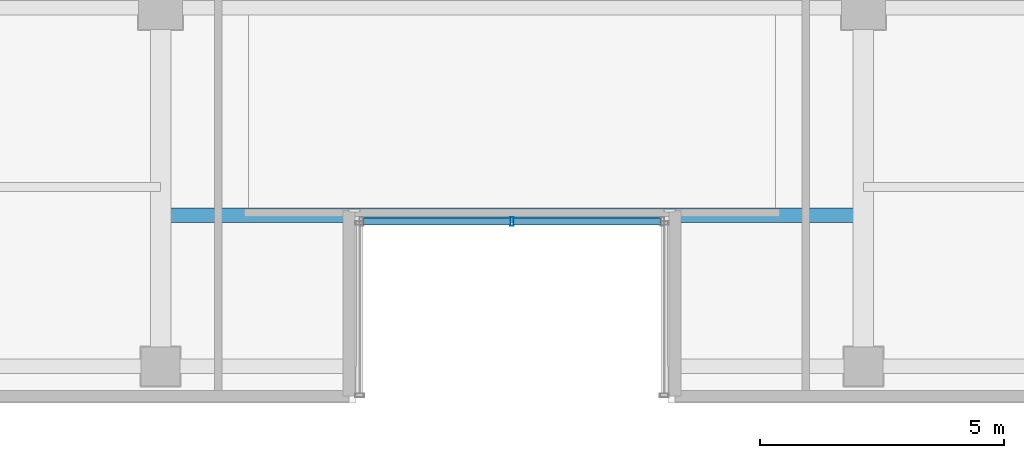
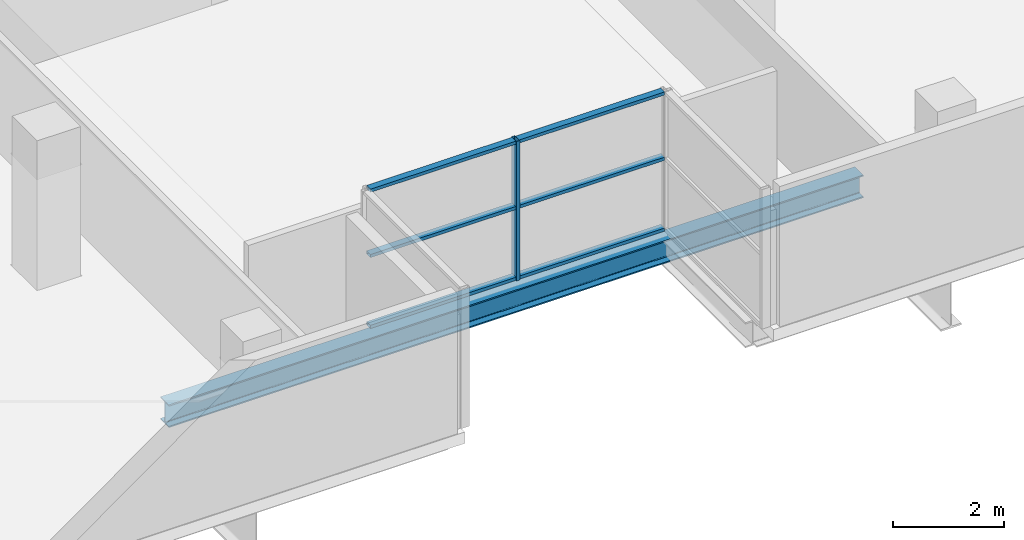
# One storey, part 6 of 27: 7 members, 1 beam, 1 element without a shape of its own.
"""IFC4 building model written with IfcOpenShell, lengths in metres."""

from ifc_helpers import new_model, si_unit, direction, frame, origin, origin_2d, place, context, subcontext, project, spatial, hollow_rectangle, i_section, extrude, source, transform, mapped, material, layer, layer_set, material_profile, profile_set, type_object, element, aggregate, save


model = new_model("IFC4")

# Units and contexts
model_context = context("Model", 3, precision=1e-05, world=origin(), true_north=direction((0.0, 1.0)))
body_context = subcontext(model_context, "Body", "Model", "MODEL_VIEW")
ifc_project = project(units=[si_unit("LENGTHUNIT", "METRE"), si_unit("AREAUNIT", "SQUARE_METRE"), si_unit("VOLUMEUNIT", "CUBIC_METRE"), si_unit("PLANEANGLEUNIT", "RADIAN"), si_unit("MASSUNIT", "GRAM", prefix="KILO")], contexts=[model_context])

# Site, building, storey
site_placement = place(None, origin())
site = spatial("IfcSite", under=ifc_project, at=site_placement, CompositionType="ELEMENT")
building_placement = place(site_placement, origin())
building = spatial("IfcBuilding", under=site, at=building_placement, Name="Zarnakvel Exchange Tower", CompositionType="ELEMENT")
storey_placement = place(building_placement, frame((0.0, 0.0, 86.800048828125)))
storey = spatial("IfcBuildingStorey", under=building, at=storey_placement, Name="L23", CompositionType="ELEMENT", Elevation=86.800048828125)

# Beam
ifc_material_1 = material(Name="Steel S355", Category="steel")
ifc_material_profile_1 = material_profile(ifc_material_1, i_section(OverallWidth=0.300048828125, OverallDepth=0.5, WebThickness=0.014404296875, FlangeThickness=0.028076171875, FilletRadius=0.027099609375, at=origin_2d()))
ifc_profile_set_1 = profile_set([ifc_material_profile_1], Name="Steel S355")
beam_type = type_object("IfcBeamType", Name="SP-02", PredefinedType="SPANDREL", material=ifc_profile_set_1)
beam_placement = place(storey_placement, frame((-7.199951171875, -13.85009765625, -0.5), z_axis=(1.0, 0.0, 0.0), x_axis=(0.0, 1.0, 0.0)))
element("IfcBeam", 1, at=beam_placement, inside=storey, type_object=beam_type, Name="L23 South Slot Head Trimmer Girder", PredefinedType="SPANDREL", context=body_context, shape_type="SweptSolid", body=[
    extrude(i_section(OverallWidth=0.300048828125, OverallDepth=0.5, WebThickness=0.014404296875, FlangeThickness=0.028076171875, FilletRadius=0.027099609375, at=origin_2d()), origin(), (0.0, 0.0, 1.0), 14.39990234375),
])

# Curtain wall, members
ifc_material_2 = material(Name="Architectural Bronze Anodised Aluminium", Category="aluminium")
ifc_layer = layer(ifc_material_2, 0.179931640625)
ifc_layer_set = layer_set([ifc_layer], Name="Architectural Bronze Anodised Aluminium")
curtain_wall_type = type_object("IfcCurtainWallType", Name="CW-05", PredefinedType="NOTDEFINED", material=ifc_layer_set)
curtain_wall_placement = place(storey_placement, origin())
curtain_wall = element("IfcCurtainWall", 2, at=curtain_wall_placement, inside=storey, type_object=curtain_wall_type, Name="L23 Curtain Wall CW-L23-SLB (CW-05)", PredefinedType="NOTDEFINED")
ifc_material_profile_2 = material_profile(ifc_material_2, hollow_rectangle(XDim=0.139892578125, YDim=0.070068359375, WallThickness=0.00390625, at=origin_2d()))
ifc_profile_set_2 = profile_set([ifc_material_profile_2], Name="Architectural Bronze Anodised Aluminium")
member_type_1 = type_object("IfcMemberType", Name="CWT-05", PredefinedType="USERDEFINED", material=ifc_profile_set_2)
shared_shape_1 = source(origin(), body_context, "Body", "SweptSolid", [
    extrude(hollow_rectangle(XDim=0.139892578125, YDim=0.070068359375, WallThickness=0.00390625, at=origin_2d()), origin(), (0.0, 0.0, 1.0), 3.01513671875),
])
member_1_placement = place(storey_placement, frame((-3.050048828125, -13.97998046875, 0.034912109375), z_axis=(1.0, 0.0, 0.0), x_axis=(0.0, 1.0, 0.0)))
member_1 = element("IfcMember", 3, at=member_1_placement, type_object=member_type_1, Name="CW-05 transom 1.1", ObjectType="TRANSOM", PredefinedType="USERDEFINED", context=body_context, shape_type="MappedRepresentation", body=[
    mapped(shared_shape_1, transform((0.0, 0.0, 0.0), x_axis=(1.0, 0.0, 0.0), y_axis=(0.0, 1.0, 0.0), z_axis=(0.0, 0.0, 1.0), scale=1.0)),
])
member_2_placement = place(storey_placement, frame((-3.050048828125, -13.97998046875, 1.588623046875), z_axis=(1.0, 0.0, 0.0), x_axis=(0.0, 1.0, 0.0)))
member_2 = element("IfcMember", 4, at=member_2_placement, type_object=member_type_1, Name="CW-05 transom 1.2", ObjectType="TRANSOM", PredefinedType="USERDEFINED", context=body_context, shape_type="MappedRepresentation", body=[
    mapped(shared_shape_1, transform((0.0, 0.0, 0.0), x_axis=(1.0, 0.0, 0.0), y_axis=(0.0, 1.0, 0.0), z_axis=(0.0, 0.0, 1.0), scale=1.0)),
])
member_3_placement = place(storey_placement, frame((-3.050048828125, -13.97998046875, 3.02001953125), z_axis=(1.0, 0.0, 0.0), x_axis=(0.0, 1.0, 0.0)))
member_3 = element("IfcMember", 5, at=member_3_placement, type_object=member_type_1, Name="CW-05 transom 1.3", ObjectType="TRANSOM", PredefinedType="USERDEFINED", context=body_context, shape_type="MappedRepresentation", body=[
    mapped(shared_shape_1, transform((0.0, 0.0, 0.0), x_axis=(1.0, 0.0, 0.0), y_axis=(0.0, 1.0, 0.0), z_axis=(0.0, 0.0, 1.0), scale=1.0)),
])
member_4_placement = place(storey_placement, frame((0.034912109375, -13.97998046875, 0.034912109375), z_axis=(1.0, 0.0, 0.0), x_axis=(0.0, 1.0, 0.0)))
member_4 = element("IfcMember", 6, at=member_4_placement, type_object=member_type_1, Name="CW-05 transom 2.1", ObjectType="TRANSOM", PredefinedType="USERDEFINED", context=body_context, shape_type="MappedRepresentation", body=[
    mapped(shared_shape_1, transform((0.0, 0.0, 0.0), x_axis=(1.0, 0.0, 0.0), y_axis=(0.0, 1.0, 0.0), z_axis=(0.0, 0.0, 1.0), scale=1.0)),
])
member_5_placement = place(storey_placement, frame((0.034912109375, -13.97998046875, 1.588623046875), z_axis=(1.0, 0.0, 0.0), x_axis=(0.0, 1.0, 0.0)))
member_5 = element("IfcMember", 7, at=member_5_placement, type_object=member_type_1, Name="CW-05 transom 2.2", ObjectType="TRANSOM", PredefinedType="USERDEFINED", context=body_context, shape_type="MappedRepresentation", body=[
    mapped(shared_shape_1, transform((0.0, 0.0, 0.0), x_axis=(1.0, 0.0, 0.0), y_axis=(0.0, 1.0, 0.0), z_axis=(0.0, 0.0, 1.0), scale=1.0)),
])
member_6_placement = place(storey_placement, frame((0.034912109375, -13.97998046875, 3.02001953125), z_axis=(1.0, 0.0, 0.0), x_axis=(0.0, 1.0, 0.0)))
member_6 = element("IfcMember", 8, at=member_6_placement, type_object=member_type_1, Name="CW-05 transom 2.3", ObjectType="TRANSOM", PredefinedType="USERDEFINED", context=body_context, shape_type="MappedRepresentation", body=[
    mapped(shared_shape_1, transform((0.0, 0.0, 0.0), x_axis=(1.0, 0.0, 0.0), y_axis=(0.0, 1.0, 0.0), z_axis=(0.0, 0.0, 1.0), scale=1.0)),
])
ifc_material_profile_3 = material_profile(ifc_material_2, hollow_rectangle(XDim=0.179931640625, YDim=0.070068359375, WallThickness=0.00390625, at=origin_2d()))
ifc_profile_set_3 = profile_set([ifc_material_profile_3], Name="Architectural Bronze Anodised Aluminium")
member_type_2 = type_object("IfcMemberType", Name="CWM-05", PredefinedType="MULLION", material=ifc_profile_set_3)
shared_shape_2 = source(origin(), body_context, "Body", "SweptSolid", [
    extrude(hollow_rectangle(XDim=0.179931640625, YDim=0.070068359375, WallThickness=0.00390625, at=origin_2d()), origin(), (0.0, 0.0, 1.0), 3.054931640625),
])
member_7_placement = place(storey_placement, frame((0.0, -13.97998046875, 0.0), z_axis=(0.0, 0.0, 1.0), x_axis=(0.0, 1.0, 0.0)))
member_7 = element("IfcMember", 9, at=member_7_placement, type_object=member_type_2, Name="CW-05 mullion 2", PredefinedType="MULLION", context=body_context, shape_type="MappedRepresentation", body=[
    mapped(shared_shape_2, transform((0.0, 0.0, 0.0), x_axis=(1.0, 0.0, 0.0), y_axis=(0.0, 1.0, 0.0), z_axis=(0.0, 0.0, 1.0), scale=1.0)),
])
aggregate(curtain_wall, [member_7, member_1, member_2, member_3, member_4, member_5, member_6])

save(model, "model.ifc")
